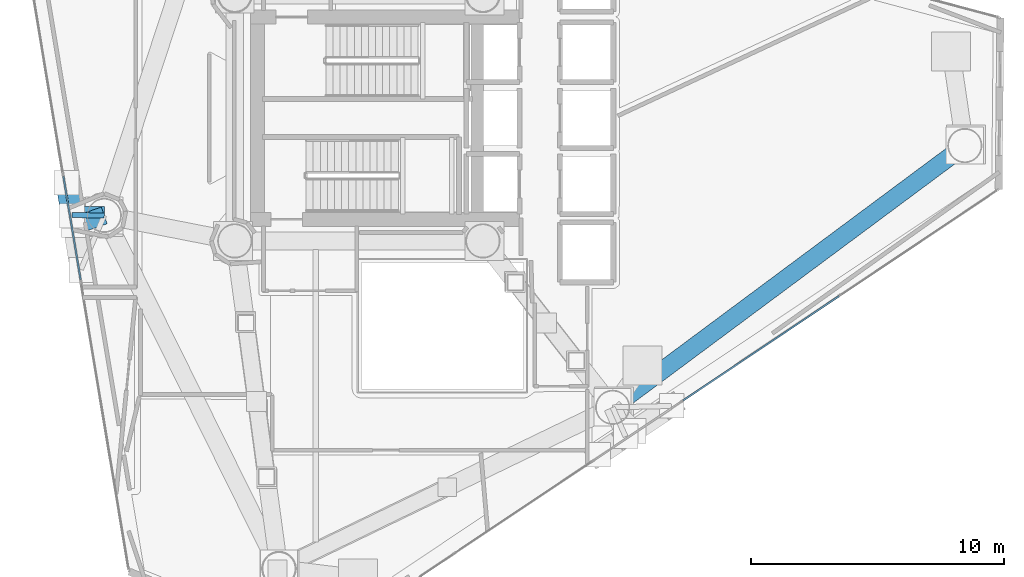
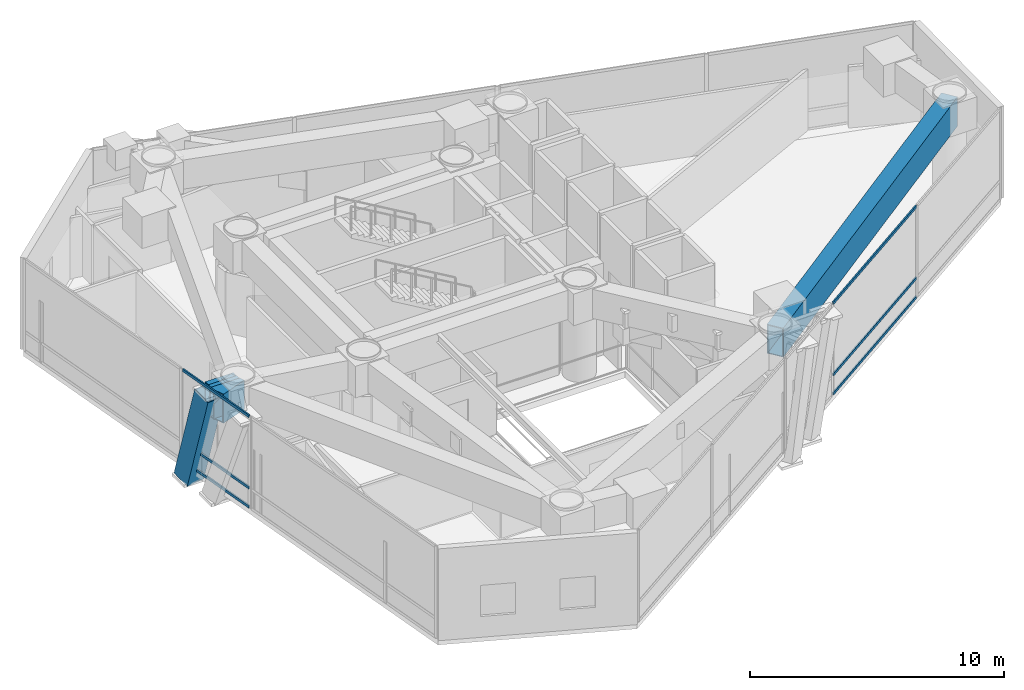
# One storey, part 7 of 22: 7 members, 4 beams, 2 elements without a shape of their own.
"""IFC4 building model written with IfcOpenShell, lengths in metres."""

from ifc_helpers import new_model, si_unit, direction, frame, origin, origin_2d, place, context, subcontext, project, spatial, hollow_rectangle, i_section, extrude, material, layer, layer_set, material_profile, profile_set, type_object, element, aggregate, save


model = new_model("IFC4")

# Units and contexts
model_context = context("Model", 3, precision=1e-05, world=origin(), true_north=direction((0.0, 1.0)))
body_context = subcontext(model_context, "Body", "Model", "MODEL_VIEW")
ifc_project = project(units=[si_unit("LENGTHUNIT", "METRE"), si_unit("AREAUNIT", "SQUARE_METRE"), si_unit("VOLUMEUNIT", "CUBIC_METRE"), si_unit("PLANEANGLEUNIT", "RADIAN"), si_unit("MASSUNIT", "GRAM", prefix="KILO")], contexts=[model_context])

# Site, building, storey
site_placement = place(None, origin())
site = spatial("IfcSite", under=ifc_project, at=site_placement, CompositionType="ELEMENT")
building_placement = place(site_placement, origin())
building = spatial("IfcBuilding", under=site, at=building_placement, Name="Qianvela Tower", CompositionType="ELEMENT")
storey_placement = place(building_placement, frame((0.0, 0.0, 184.60009765625)))
storey = spatial("IfcBuildingStorey", under=building, at=storey_placement, Name="L47", CompositionType="ELEMENT", Elevation=184.60009765625)

# Beams
ifc_material_1 = material(Name="Steel Q355B", Category="steel")
ifc_material_profile_1 = material_profile(ifc_material_1, i_section(OverallWidth=0.199951171875, OverallDepth=0.60009765625, WebThickness=0.010986328125, FlangeThickness=0.01708984375, at=origin_2d()), Name="HN600x200x11x17")
ifc_profile_set_1 = profile_set([ifc_material_profile_1], Name="Steel Q355B")
beam_type_1 = type_object("IfcBeamType", Name="BM-HN600-GIRD", PredefinedType="BEAM", material=ifc_profile_set_1)
beam_1_placement = place(storey_placement, frame((23.446044921875, 24.85888671875, 4.117919921875), z_axis=(-0.999964653138, 0.008407881662, 0.0), x_axis=(-0.008407881662, -0.999964653138, 0.0)))
element("IfcBeam", 1, at=beam_1_placement, inside=storey, type_object=beam_type_1, Name="L47 Mega-Brace Column Tie Bracket F2-1", PredefinedType="BEAM", context=body_context, shape_type="SweptSolid", body=[
    extrude(i_section(OverallWidth=0.199951171875, OverallDepth=0.60009765625, WebThickness=0.010986328125, FlangeThickness=0.01708984375, at=origin_2d()), origin(), (0.0, 0.0, 1.0), 1.277587890625),
])
ifc_material_2 = material(Name="Steel Q420GJC", Category="steel")
ifc_material_profile_2 = material_profile(ifc_material_2, hollow_rectangle(XDim=0.699951171875, YDim=1.39990234375, WallThickness=0.0400390625, at=origin_2d()), Name="TG-BOX-1400x700x40")
ifc_profile_set_2 = profile_set([ifc_material_profile_2], Name="Steel Q420GJC")
beam_type_2 = type_object("IfcBeamType", Name="BM-TG-RAD-1400", PredefinedType="BEAM", material=ifc_profile_set_2)
beam_2_placement = place(storey_placement, frame((43.52490234375, 17.279052734375, 3.718017578125), z_axis=(0.802568869864, 0.596559476603, 0.0), x_axis=(-0.596559476603, 0.802568869864, 0.0)))
element("IfcBeam", 2, at=beam_2_placement, inside=storey, type_object=beam_type_2, Name="L47 Perimeter Belt-Truss Top Ring Girder 6", PredefinedType="BEAM", context=body_context, shape_type="SweptSolid", body=[
    extrude(hollow_rectangle(XDim=0.699951171875, YDim=1.39990234375, WallThickness=0.0400390625, at=origin_2d()), origin(), (0.0, 0.0, 1.0), 17.330810546875),
])
ifc_material_3 = material(Name="Steel Q420GJC", Category="steel")
ifc_material_profile_3 = material_profile(ifc_material_3, hollow_rectangle(XDim=0.699951171875, YDim=1.39990234375, WallThickness=0.0400390625, at=origin_2d()), Name="TG-BOX-1400x700x40")
ifc_profile_set_3 = profile_set([ifc_material_profile_3], Name="Steel Q420GJC")
beam_type_3 = type_object("IfcBeamType", Name="BM-TG-STEP-1400", PredefinedType="BEAM", material=ifc_profile_set_3)
beam_3_placement = place(storey_placement, frame((23.446044921875, 24.85888671875, 3.71484375), z_axis=(-0.999964653138, 0.008407881662, 0.0), x_axis=(-0.008407881662, -0.999964653138, 0.0)))
element("IfcBeam", 3, at=beam_3_placement, inside=storey, type_object=beam_type_3, Name="L47 Mega-Brace Zone Base Bracket F2-1", PredefinedType="BEAM", context=body_context, shape_type="SweptSolid", body=[
    extrude(hollow_rectangle(XDim=0.699951171875, YDim=1.39990234375, WallThickness=0.0400390625, at=origin_2d()), origin(), (0.0, 0.0, 1.0), 1.277587890625),
])
beam_4_placement = place(storey_placement, frame((23.446044921875, 24.85888671875, 3.71484375), z_axis=(-0.943518266975, -0.331320509302, 0.0), x_axis=(0.331320509302, -0.943518266975, 0.0)))
element("IfcBeam", 4, at=beam_4_placement, inside=storey, type_object=beam_type_3, Name="L47 Mega-Brace Zone Base Bracket F2-2", PredefinedType="BEAM", context=body_context, shape_type="SweptSolid", body=[
    extrude(hollow_rectangle(XDim=0.699951171875, YDim=1.39990234375, WallThickness=0.0400390625, at=origin_2d()), origin(), (0.0, 0.0, 1.0), 1.27783203125),
])

# Curtain wall, members
ifc_material_4 = material(Name="Anodised Architectural Aluminium and Insulated Spandrel Panel", Category="aluminium")
ifc_layer_1 = layer(ifc_material_4, 0.179931640625)
ifc_layer_set_1 = layer_set([ifc_layer_1], Name="Anodised Architectural Aluminium and Insulated Spandrel Panel")
curtain_wall_type_1 = type_object("IfcCurtainWallType", Name="CW-BRACEBAY", PredefinedType="USERDEFINED", material=ifc_layer_set_1)
curtain_wall_1_placement = place(storey_placement, origin())
curtain_wall_1 = element("IfcCurtainWall", 5, at=curtain_wall_1_placement, inside=storey, type_object=curtain_wall_type_1, Name="L47 CW-BRACEBAY Curtain Wall 04B", ObjectType="CURTAIN_WALL_SYSTEM", PredefinedType="USERDEFINED")
ifc_material_5 = material(Name="Anodised Architectural Aluminium 6063-T6", Category="aluminium")
ifc_material_profile_4 = material_profile(ifc_material_5, hollow_rectangle(XDim=0.06494140625, YDim=0.1298828125, WallThickness=0.00439453125, at=origin_2d()), Name="ALU-TRAN-65x130")
ifc_profile_set_4 = profile_set([ifc_material_profile_4], Name="Anodised Architectural Aluminium 6063-T6")
member_type_1 = type_object("IfcMemberType", Name="CW-BRACEBAY-TRAN", PredefinedType="USERDEFINED", material=ifc_profile_set_4)
member_1_placement = place(storey_placement, frame((21.83447265625, 26.390380859375, 0.032470703125), z_axis=(0.164014625601, -0.986457907155, 0.0), x_axis=(0.986457907155, 0.164014625601, 0.0)))
member_1 = element("IfcMember", 6, at=member_1_placement, type_object=member_type_1, Name="CW-9 transom 1.1", ObjectType="TRANSOM", PredefinedType="USERDEFINED", context=body_context, shape_type="SweptSolid", body=[
    extrude(hollow_rectangle(XDim=0.06494140625, YDim=0.1298828125, WallThickness=0.00439453125, at=origin_2d()), origin(), (0.0, 0.0, 1.0), 4.120361328125),
])
member_2_placement = place(storey_placement, frame((21.83447265625, 26.390380859375, 0.949951171875), z_axis=(0.164014625601, -0.986457907155, 0.0), x_axis=(0.986457907155, 0.164014625601, 0.0)))
member_2 = element("IfcMember", 7, at=member_2_placement, type_object=member_type_1, Name="CW-9 transom 1.2", ObjectType="TRANSOM", PredefinedType="USERDEFINED", context=body_context, shape_type="SweptSolid", body=[
    extrude(hollow_rectangle(XDim=0.06494140625, YDim=0.1298828125, WallThickness=0.00439453125, at=origin_2d()), origin(), (0.0, 0.0, 1.0), 4.120361328125),
])
member_3_placement = place(storey_placement, frame((21.83447265625, 26.390380859375, 4.387451171875), z_axis=(0.164014625601, -0.986457907155, 0.0), x_axis=(0.986457907155, 0.164014625601, 0.0)))
member_3 = element("IfcMember", 8, at=member_3_placement, type_object=member_type_1, Name="CW-9 transom 1.3", ObjectType="TRANSOM", PredefinedType="USERDEFINED", context=body_context, shape_type="SweptSolid", body=[
    extrude(hollow_rectangle(XDim=0.06494140625, YDim=0.1298828125, WallThickness=0.00439453125, at=origin_2d()), origin(), (0.0, 0.0, 1.0), 4.120361328125),
])
aggregate(curtain_wall_1, [member_1, member_2, member_3])

ifc_material_6 = material(Name="Anodised Architectural Aluminium and Low-E Glass", Category="aluminium")
ifc_layer_2 = layer(ifc_material_6, 0.169921875)
ifc_layer_set_2 = layer_set([ifc_layer_2], Name="Anodised Architectural Aluminium and Low-E Glass")
curtain_wall_type_2 = type_object("IfcCurtainWallType", Name="CW-COLIV-Z34", PredefinedType="USERDEFINED", material=ifc_layer_set_2)
curtain_wall_2_placement = place(storey_placement, origin())
curtain_wall_2 = element("IfcCurtainWall", 9, at=curtain_wall_2_placement, inside=storey, type_object=curtain_wall_type_2, Name="L47 CW-COLIV-Z34 Curtain Wall 06C", ObjectType="CURTAIN_WALL_SYSTEM", PredefinedType="USERDEFINED")
ifc_material_7 = material(Name="Anodised Architectural Aluminium 6063-T6", Category="aluminium")
ifc_material_profile_5 = material_profile(ifc_material_7, hollow_rectangle(XDim=0.06494140625, YDim=0.1298828125, WallThickness=0.00439453125, at=origin_2d()), Name="ALU-TRAN-65x130")
ifc_profile_set_5 = profile_set([ifc_material_profile_5], Name="Anodised Architectural Aluminium 6063-T6")
member_type_2 = type_object("IfcMemberType", Name="CW-COLIV-Z34-TRAN", PredefinedType="USERDEFINED", material=ifc_profile_set_5)
member_4_placement = place(storey_placement, frame((46.313720703125, 17.552490234375, 0.032470703125), z_axis=(0.831054928106, 0.556190350932, 0.0), x_axis=(-0.556190350932, 0.831054928106, 0.0)))
member_4 = element("IfcMember", 10, at=member_4_placement, type_object=member_type_2, Name="CW-4 transom 1.1", ObjectType="TRANSOM", PredefinedType="USERDEFINED", context=body_context, shape_type="SweptSolid", body=[
    extrude(hollow_rectangle(XDim=0.06494140625, YDim=0.1298828125, WallThickness=0.00439453125, at=origin_2d()), origin(), (0.0, 0.0, 1.0), 7.406005859375),
])
member_5_placement = place(storey_placement, frame((46.313720703125, 17.552490234375, 0.949951171875), z_axis=(0.831054928106, 0.556190350932, 0.0), x_axis=(-0.556190350932, 0.831054928106, 0.0)))
member_5 = element("IfcMember", 11, at=member_5_placement, type_object=member_type_2, Name="CW-4 transom 1.2", ObjectType="TRANSOM", PredefinedType="USERDEFINED", context=body_context, shape_type="SweptSolid", body=[
    extrude(hollow_rectangle(XDim=0.06494140625, YDim=0.1298828125, WallThickness=0.00439453125, at=origin_2d()), origin(), (0.0, 0.0, 1.0), 7.406005859375),
])
member_6_placement = place(storey_placement, frame((46.313720703125, 17.552490234375, 4.387451171875), z_axis=(0.831054928106, 0.556190350932, 0.0), x_axis=(-0.556190350932, 0.831054928106, 0.0)))
member_6 = element("IfcMember", 12, at=member_6_placement, type_object=member_type_2, Name="CW-4 transom 1.3", ObjectType="TRANSOM", PredefinedType="USERDEFINED", context=body_context, shape_type="SweptSolid", body=[
    extrude(hollow_rectangle(XDim=0.06494140625, YDim=0.1298828125, WallThickness=0.00439453125, at=origin_2d()), origin(), (0.0, 0.0, 1.0), 7.406005859375),
])
aggregate(curtain_wall_2, [member_4, member_5, member_6])

# Member
ifc_material_8 = material(Name="Steel Q420GJC", Category="steel")
ifc_material_profile_6 = material_profile(ifc_material_8, hollow_rectangle(XDim=0.85009765625, YDim=0.85009765625, WallThickness=0.031982421875, at=origin_2d()), Name="MBOX-850x850x32")
ifc_profile_set_6 = profile_set([ifc_material_profile_6], Name="Steel Q420GJC")
member_type_3 = type_object("IfcMemberType", Name="MBR-MBRACE-850", PredefinedType="BRACE", material=ifc_profile_set_6)
member_7_placement = place(storey_placement, frame((21.957763671875, 26.13671875, -0.60205078125), z_axis=(0.043072230183, -0.259032299708, 0.964907793883), x_axis=(0.986455498326, 0.164029112727, 0.0)))
element("IfcMember", 13, at=member_7_placement, inside=storey, type_object=member_type_3, Name="L47 Tier 8 Exterior Mega-Brace F2A", PredefinedType="BRACE", context=body_context, shape_type="SweptSolid", body=[
    extrude(hollow_rectangle(XDim=0.85009765625, YDim=0.85009765625, WallThickness=0.031982421875, at=origin_2d()), origin(), (0.0, 0.0, 1.0), 4.8916015625),
])

save(model, "model.ifc")
